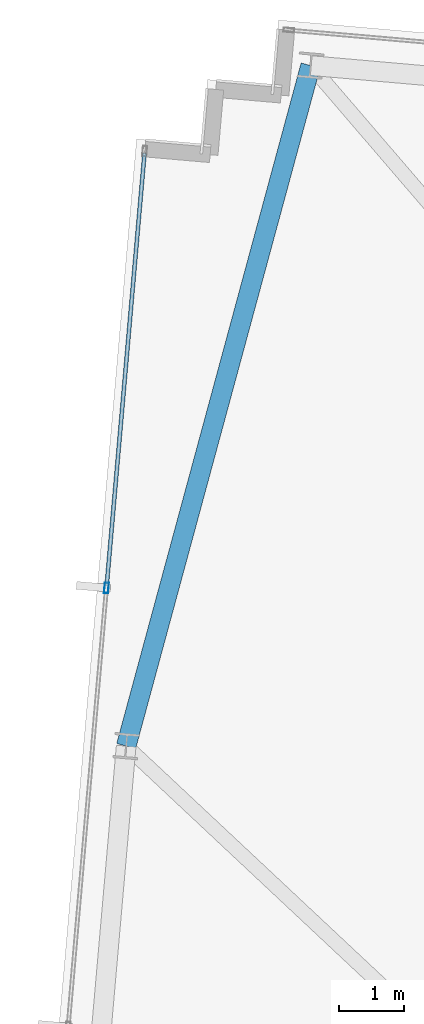
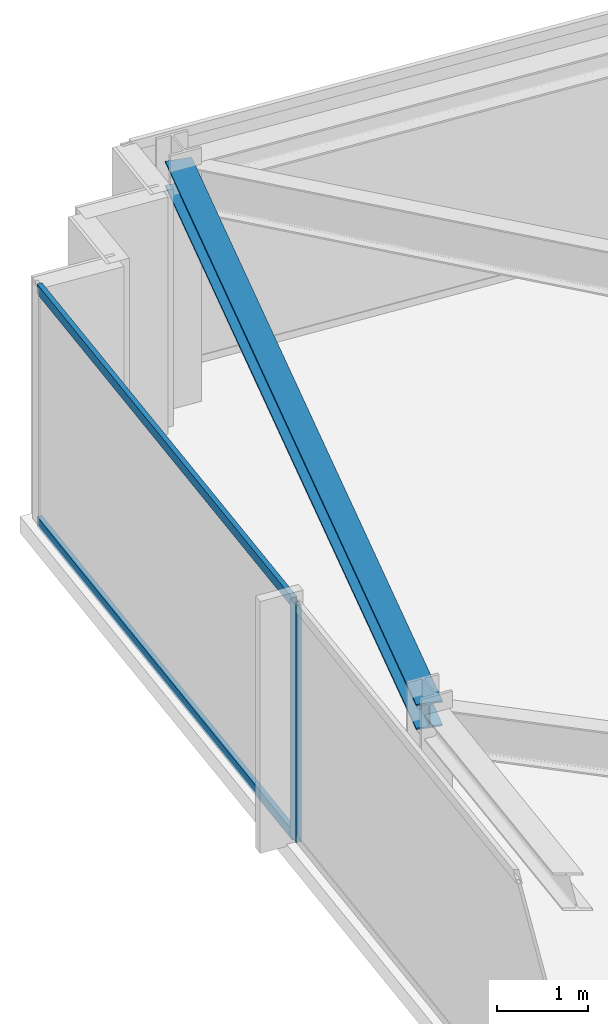
# One storey, part 11 of 32: 3 members, 1 beam, 1 element without a shape of its own.
"""IFC4 building model written with IfcOpenShell, lengths in metres."""

from ifc_helpers import new_model, si_unit, direction, frame, origin, origin_2d, place, context, subcontext, project, spatial, hollow_rectangle, i_section, extrude, material, material_profile, profile_set, type_object, element, aggregate, save


model = new_model("IFC4")

# Units and contexts
model_context = context("Model", 3, precision=1e-05, world=origin(), true_north=direction((0.0, 1.0)))
body_context = subcontext(model_context, "Body", "Model", "MODEL_VIEW")
ifc_project = project(units=[si_unit("LENGTHUNIT", "METRE"), si_unit("AREAUNIT", "SQUARE_METRE"), si_unit("VOLUMEUNIT", "CUBIC_METRE"), si_unit("PLANEANGLEUNIT", "RADIAN"), si_unit("MASSUNIT", "GRAM", prefix="KILO")], contexts=[model_context])

# Site, building, storey
site_placement = place(None, origin())
site = spatial("IfcSite", under=ifc_project, at=site_placement, CompositionType="ELEMENT")
building_placement = place(site_placement, origin())
building = spatial("IfcBuilding", under=site, at=building_placement, Name="Yelkora Congress Tower", CompositionType="ELEMENT")
storey_placement = place(building_placement, frame((0.0, 0.0, 262.5)))
storey = spatial("IfcBuildingStorey", under=building, at=storey_placement, Name="L73", CompositionType="ELEMENT", Elevation=262.5)

# Beam
ifc_material_1 = material(Name="Steel S355J2", Category="steel")
ifc_material_profile_1 = material_profile(ifc_material_1, i_section(OverallWidth=0.300048828125, OverallDepth=0.340087890625, WebThickness=0.011962890625, FlangeThickness=0.021484375, FilletRadius=0.027099609375, at=origin_2d()), Name="HEB 340")
ifc_profile_set_1 = profile_set([ifc_material_profile_1], Name="Steel S355J2")
beam_type = type_object("IfcBeamType", Name="BM-SPAN-HEB340", PredefinedType="SPANDREL", material=ifc_profile_set_1)
beam_placement = place(storey_placement, frame((10.60400390625, 49.884033203125, 3.010009765625), z_axis=(-0.261553643334, -0.965188940912, 0.0), x_axis=(0.965188940912, -0.261553643334, 0.0)))
element("IfcBeam", 1, at=beam_placement, inside=storey, type_object=beam_type, Name="L73 Perimeter Beam 13", PredefinedType="SPANDREL", context=body_context, shape_type="SweptSolid", body=[
    extrude(i_section(OverallWidth=0.300048828125, OverallDepth=0.340087890625, WebThickness=0.011962890625, FlangeThickness=0.021484375, FilletRadius=0.027099609375, at=origin_2d()), origin(), (0.0, 0.0, 1.0), 10.768798828125),
])

# Curtain wall, members
ifc_material_2 = material(Name="Anodised aluminium and insulated glass", Category="aluminium")
curtain_wall_type = type_object("IfcCurtainWallType", Name="CW-SYS-B5", PredefinedType="NOTDEFINED", material=ifc_material_2)
curtain_wall_placement = place(storey_placement, origin())
curtain_wall = element("IfcCurtainWall", 2, at=curtain_wall_placement, inside=storey, type_object=curtain_wall_type, Name="L73 Unitised Curtain Wall 5", PredefinedType="NOTDEFINED")
ifc_material_3 = material(Name="Anodised aluminium 6063-T6", Category="aluminium")
ifc_material_profile_2 = material_profile(ifc_material_3, hollow_rectangle(XDim=0.06494140625, YDim=0.159912109375, WallThickness=0.00390625, at=origin_2d()), Name="ALU 65x160x4")
ifc_profile_set_2 = profile_set([ifc_material_profile_2], Name="Anodised aluminium 6063-T6")
member_type_1 = type_object("IfcMemberType", Name="MEM-ML-B5", PredefinedType="MULLION", material=ifc_profile_set_2)
member_1_placement = place(storey_placement, frame((7.48681640625, 41.9052734375, 0.0), z_axis=(0.0, 0.0, 1.0), x_axis=(-0.996194785929, 0.08715473876, 0.0)))
member_1 = element("IfcMember", 3, at=member_1_placement, type_object=member_type_1, Name="CW-B5 mullion 4", PredefinedType="MULLION", context=body_context, shape_type="SweptSolid", body=[
    extrude(hollow_rectangle(XDim=0.06494140625, YDim=0.159912109375, WallThickness=0.00390625, at=origin_2d()), origin(), (0.0, 0.0, 1.0), 3.179931640625),
])
ifc_material_profile_3 = material_profile(ifc_material_3, hollow_rectangle(XDim=0.06005859375, YDim=0.1298828125, WallThickness=0.00390625, at=origin_2d()), Name="ALU 60x130x4")
ifc_profile_set_3 = profile_set([ifc_material_profile_3], Name="Anodised aluminium 6063-T6")
member_type_2 = type_object("IfcMemberType", Name="MEM-TR-B5", PredefinedType="USERDEFINED", material=ifc_profile_set_3)
member_2_placement = place(storey_placement, frame((7.489501953125, 41.937744140625, 0.030029296875), z_axis=(0.08716649365, 0.996193757451, 0.0), x_axis=(-0.996193757451, 0.08716649365, 0.0)))
member_2 = element("IfcMember", 4, at=member_2_placement, type_object=member_type_2, Name="CW-B5 transom 4.1", ObjectType="TRANSOM", PredefinedType="USERDEFINED", context=body_context, shape_type="SweptSolid", body=[
    extrude(hollow_rectangle(XDim=0.06005859375, YDim=0.1298828125, WallThickness=0.00390625, at=origin_2d()), origin(), (0.0, 0.0, 1.0), 6.63232421875),
])
member_3_placement = place(storey_placement, frame((7.489501953125, 41.937744140625, 3.14990234375), z_axis=(0.08716649365, 0.996193757451, 0.0), x_axis=(-0.996193757451, 0.08716649365, 0.0)))
member_3 = element("IfcMember", 5, at=member_3_placement, type_object=member_type_2, Name="CW-B5 transom 4.2", ObjectType="TRANSOM", PredefinedType="USERDEFINED", context=body_context, shape_type="SweptSolid", body=[
    extrude(hollow_rectangle(XDim=0.06005859375, YDim=0.1298828125, WallThickness=0.00390625, at=origin_2d()), origin(), (0.0, 0.0, 1.0), 6.63232421875),
])
aggregate(curtain_wall, [member_1, member_2, member_3])

save(model, "model.ifc")
